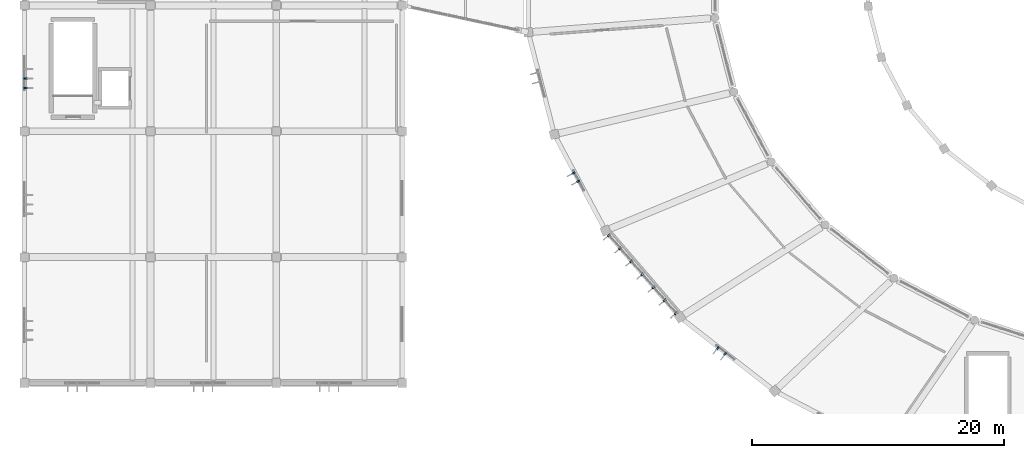
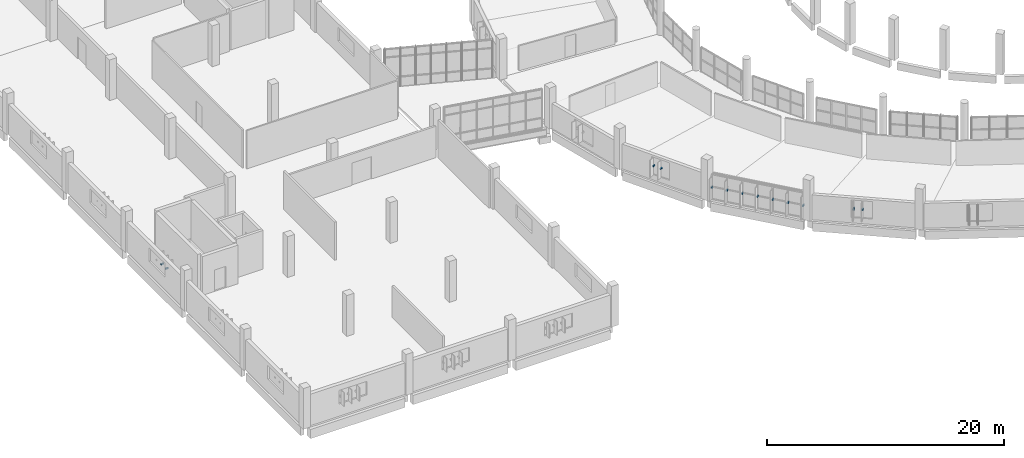
# One storey, part 109 of 142: 13 discrete accessories.
"""IFC4 building model written with IfcOpenShell, lengths in metres."""

from ifc_helpers import new_model, si_unit, direction, frame, origin, origin_2d, place, context, subcontext, project, spatial, rectangle, extrude, material, type_object, element, save


model = new_model("IFC4")

# Units and contexts
model_context = context("Model", 3, precision=1e-05, world=origin(), true_north=direction((0.0, 1.0)))
body_context = subcontext(model_context, "Body", "Model", "MODEL_VIEW")
ifc_project = project(units=[si_unit("LENGTHUNIT", "METRE"), si_unit("AREAUNIT", "SQUARE_METRE"), si_unit("VOLUMEUNIT", "CUBIC_METRE"), si_unit("PLANEANGLEUNIT", "RADIAN"), si_unit("MASSUNIT", "GRAM", prefix="KILO")], contexts=[model_context])

# Site, building, storey
site_placement = place(None, origin())
site = spatial("IfcSite", under=ifc_project, at=site_placement, CompositionType="ELEMENT")
building_placement = place(site_placement, origin())
building = spatial("IfcBuilding", under=site, at=building_placement, Name="Corvandel Quay Wholesale Market", CompositionType="ELEMENT")
storey_placement = place(building_placement, frame((0.0, 0.0, 10.800048828125)))
storey = spatial("IfcBuildingStorey", under=building, at=storey_placement, Name="L02", CompositionType="ELEMENT", Elevation=10.800048828125)

# Discrete accessories
ifc_material = material(Name="Austenitic stainless steel Grade 316", Category="steel")
discrete_accessory_type = type_object("IfcDiscreteAccessoryType", Name="Stainless Solar Fin Fixing Bracket BRK01", PredefinedType="USERDEFINED", material=ifc_material)
for number, where, z_axis, x_axis, name in (
    (1, (63.59912109375, 26.6748046875, 1.3798828125), (0.0, 0.0, 1.0), (0.882619624736, 0.470087862033, 0.0), "Fin Bracket 0058"),
    (2, (63.951904296875, 26.0126953125, 1.3798828125), (0.0, 0.0, 1.0), (0.882619624736, 0.470087862033, 0.0), "Fin Bracket 0059"),
):
    element("IfcDiscreteAccessory", number, at=place(storey_placement, frame(where, z_axis=z_axis, x_axis=x_axis)), inside=storey, type_object=discrete_accessory_type, Name=name, ObjectType="BRACKET", PredefinedType="USERDEFINED", context=body_context, shape_type="SweptSolid", body=[
        extrude(rectangle(XDim=0.280029296875, YDim=0.1201171875, at=origin_2d()), origin(), (0.0, 0.0, 1.0), 0.139892578125),
    ])
for number, where, z_axis, x_axis, name in (
    (3, (66.393798828125, 21.7255859375, 1.205078125), (0.0, 0.0, 1.0), (0.758589401976, 0.651568967347, 0.0), "Fin Bracket 0073"),
    (4, (67.28076171875, 20.69287109375, 1.205078125), (0.0, 0.0, 1.0), (0.758589401976, 0.651568967347, 0.0), "Fin Bracket 0074"),
    (5, (68.16796875, 19.66015625, 1.205078125), (0.0, 0.0, 1.0), (0.758589401976, 0.651568967347, 0.0), "Fin Bracket 0075"),
    (6, (69.054931640625, 18.62744140625, 1.205078125), (0.0, 0.0, 1.0), (0.758589401976, 0.651568967347, 0.0), "Fin Bracket 0076"),
    (7, (69.942138671875, 17.5947265625, 1.205078125), (0.0, 0.0, 1.0), (0.758589401976, 0.651568967347, 0.0), "Fin Bracket 0077"),
    (8, (70.8291015625, 16.56201171875, 1.205078125), (0.0, 0.0, 1.0), (0.758589401976, 0.651568967347, 0.0), "Fin Bracket 0078"),
    (9, (71.71630859375, 15.529296875, 1.205078125), (0.0, 0.0, 1.0), (0.758589401976, 0.651568967347, 0.0), "Fin Bracket 0079"),
):
    element("IfcDiscreteAccessory", number, at=place(storey_placement, frame(where, z_axis=z_axis, x_axis=x_axis)), inside=storey, type_object=discrete_accessory_type, Name=name, ObjectType="BRACKET", PredefinedType="USERDEFINED", context=body_context, shape_type="SweptSolid", body=[
        extrude(rectangle(XDim=0.239990234375, YDim=0.1201171875, at=origin_2d()), origin(), (0.0, 0.0, 1.0), 0.139892578125),
    ])
for number, where, z_axis, x_axis, name in (
    (10, (75.044189453125, 12.77490234375, 1.3798828125), (0.0, 0.0, 1.0), (0.614009720373, 0.789298462742, 0.0), "Fin Bracket 0093"),
    (11, (75.63623046875, 12.314697265625, 1.3798828125), (0.0, 0.0, 1.0), (0.614009720373, 0.789298462742, 0.0), "Fin Bracket 0094"),
    (12, (20.10009765625, 33.43994140625, 1.93017578125), (0.0, 0.0, 1.0), (1.0, 0.0, 0.0), "Fin Bracket 0693"),
    (13, (20.10009765625, 34.18994140625, 1.93017578125), (0.0, 0.0, 1.0), (1.0, 0.0, 0.0), "Fin Bracket 0694"),
):
    element("IfcDiscreteAccessory", number, at=place(storey_placement, frame(where, z_axis=z_axis, x_axis=x_axis)), inside=storey, type_object=discrete_accessory_type, Name=name, ObjectType="BRACKET", PredefinedType="USERDEFINED", context=body_context, shape_type="SweptSolid", body=[
        extrude(rectangle(XDim=0.280029296875, YDim=0.1201171875, at=origin_2d()), origin(), (0.0, 0.0, 1.0), 0.139892578125),
    ])

save(model, "model.ifc")
